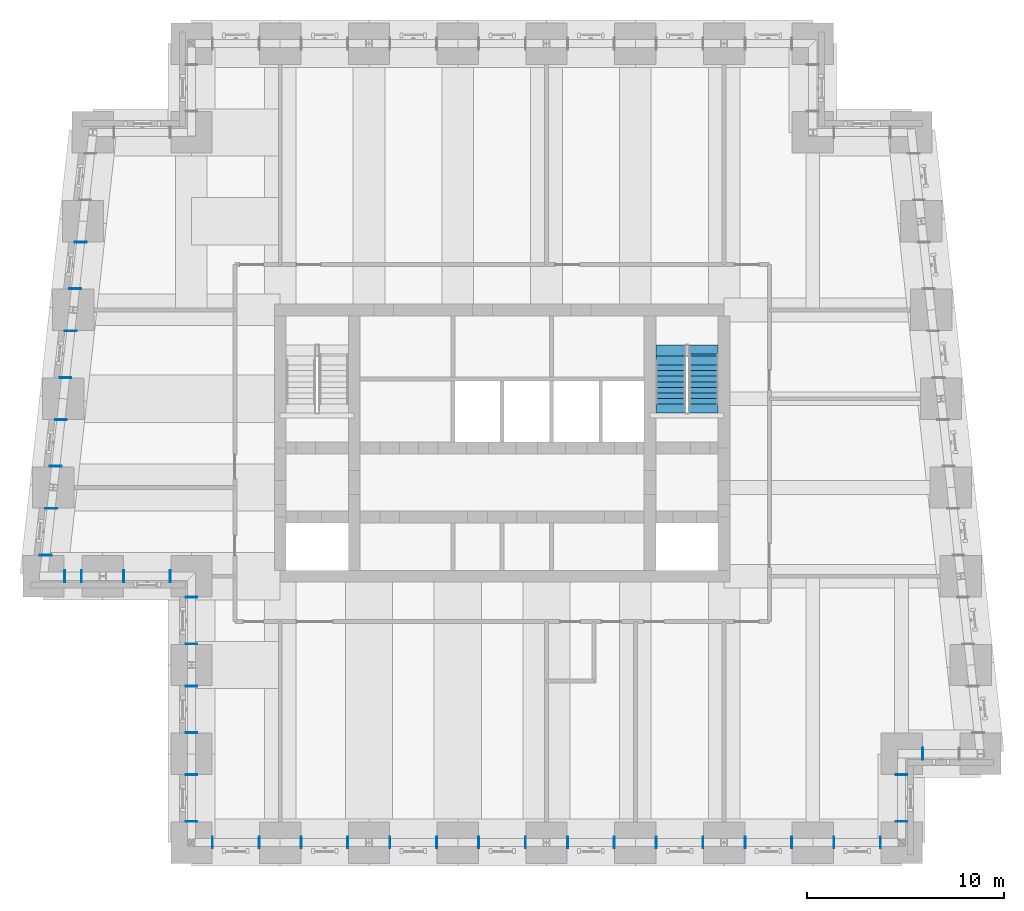
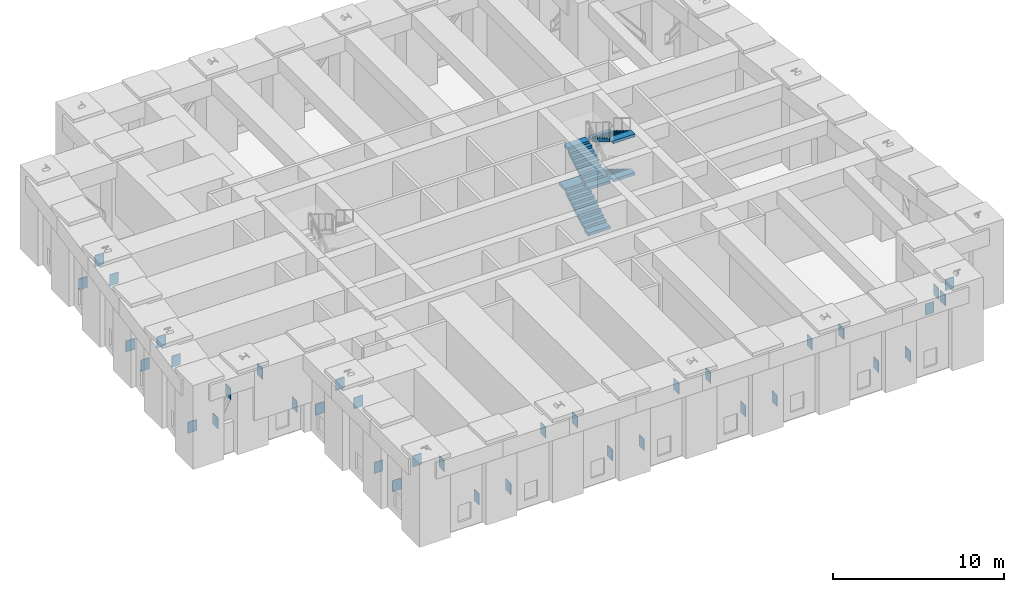
# One storey, part 6 of 17: 37 discrete accessories, 4 stair flights, 1 element without a shape of its own.
"""IFC4 building model written with IfcOpenShell, lengths in metres."""

from ifc_helpers import new_model, si_unit, direction, frame, origin, place, context, subcontext, project, spatial, polyline, outline, extrude, source, transform, mapped, material, layer, layer_set, type_object, element, aggregate, save


model = new_model("IFC4")

# Units and contexts
model_context = context("Model", 3, precision=1e-05, world=origin(), true_north=direction((0.0, 1.0)))
body_context = subcontext(model_context, "Body", "Model", "MODEL_VIEW")
ifc_project = project(units=[si_unit("LENGTHUNIT", "METRE"), si_unit("AREAUNIT", "SQUARE_METRE"), si_unit("VOLUMEUNIT", "CUBIC_METRE"), si_unit("PLANEANGLEUNIT", "RADIAN"), si_unit("MASSUNIT", "GRAM", prefix="KILO")], contexts=[model_context])

# Site, building, storey
site_placement = place(None, origin())
site = spatial("IfcSite", under=ifc_project, at=site_placement, CompositionType="ELEMENT")
building_placement = place(site_placement, origin())
building = spatial("IfcBuilding", under=site, at=building_placement, Name="Kilele Tower Hotel", CompositionType="ELEMENT")
storey_placement = place(building_placement, frame((0.0, 0.0, 211.39990234375)))
storey = spatial("IfcBuildingStorey", under=building, at=storey_placement, Name="L55", CompositionType="ELEMENT", Elevation=211.39990234375)

# Stair, stair flights
ifc_material_1 = material(Name="Precast concrete C40/50", Category="concrete")
stair_type = type_object("IfcStairType", Name="Stair 1475 x 6000", PredefinedType="HALF_TURN_STAIR", material=ifc_material_1)
stair_placement = place(storey_placement, origin())
stair = element("IfcStair", 1, at=stair_placement, inside=storey, type_object=stair_type, Name="Stair 2 L55", PredefinedType="HALF_TURN_STAIR")
ifc_material_2 = material(Name="Precast concrete C40/50", Category="concrete")
stair_flight_type = type_object("IfcStairFlightType", Name="Flight 1475 riser 171.4", PredefinedType="STRAIGHT", material=ifc_material_2)
stair_flight_1_placement = place(storey_placement, frame((33.28759765625, 22.239990234375, 0.0), z_axis=(0.0, 0.0, 1.0), x_axis=(0.0, 1.0, 0.0)))
stair_flight_1 = element("IfcStairFlight", 2, at=stair_flight_1_placement, type_object=stair_flight_type, Name="ST2 flight 1", NumberOfRisers=9, NumberOfTreads=8, PredefinedType="STRAIGHT", RiserHeight=0.171428571, TreadLength=0.28, context=body_context, shape_type="SweptSolid", body=[
    extrude(outline(polyline([(0.0, 0.0), (0.0, 0.17138671875), (0.280029296875, 0.17138671875), (0.280029296875, 0.3427734375), (0.56005859375, 0.3427734375), (0.56005859375, 0.514404296875), (0.840087890625, 0.514404296875), (0.840087890625, 0.685791015625), (1.1201171875, 0.685791015625), (1.1201171875, 0.857177734375), (1.39990234375, 0.857177734375), (1.39990234375, 1.028564453125), (1.679931640625, 1.028564453125), (1.679931640625, 1.199951171875), (1.9599609375, 1.199951171875), (1.9599609375, 1.371337890625), (2.239990234375, 1.371337890625), (2.239990234375, 1.54296875), (2.239990234375, 1.195556640625), (0.287109375, 0.0), (0.0, 0.0)])), frame((0.0, 0.737548828125, 0.0), z_axis=(0.0, -1.0, 0.0), x_axis=(1.0, 0.0, 0.0)), (0.0, 0.0, 1.0), 1.47509765625),
    extrude(outline(polyline([(-0.465087890625, 0.737548828125), (-0.465087890625, -0.7373046875), (0.0, -0.7373046875), (0.0, 0.737548828125), (-0.465087890625, 0.737548828125)])), frame((0.0, 0.0, -0.199951171875)), (0.0, 0.0, 1.0), 0.199951171875),
    extrude(outline(polyline([(2.239990234375, 0.737548828125), (2.239990234375, -0.7373046875), (2.985107421875, -0.7373046875), (2.985107421875, 0.737548828125), (2.239990234375, 0.737548828125)])), frame((0.0, 0.0, 1.343017578125)), (0.0, 0.0, 1.0), 0.199951171875),
])
stair_flight_2_placement = place(storey_placement, frame((34.96240234375, 24.760009765625, 1.54296875), z_axis=(0.0, 0.0, 1.0), x_axis=(0.0, -1.0, 0.0)))
stair_flight_2 = element("IfcStairFlight", 3, at=stair_flight_2_placement, type_object=stair_flight_type, Name="ST2 flight 2", NumberOfRisers=10, NumberOfTreads=9, PredefinedType="STRAIGHT", RiserHeight=0.171428571, TreadLength=0.28, context=body_context, shape_type="SweptSolid", body=[
    extrude(outline(polyline([(0.0, 0.0), (0.0, 0.17138671875), (0.280029296875, 0.17138671875), (0.280029296875, 0.3427734375), (0.56005859375, 0.3427734375), (0.56005859375, 0.514404296875), (0.840087890625, 0.514404296875), (0.840087890625, 0.685791015625), (1.1201171875, 0.685791015625), (1.1201171875, 0.857177734375), (1.39990234375, 0.857177734375), (1.39990234375, 1.028564453125), (1.679931640625, 1.028564453125), (1.679931640625, 1.199951171875), (1.9599609375, 1.199951171875), (1.9599609375, 1.371337890625), (2.239990234375, 1.371337890625), (2.239990234375, 1.54296875), (2.52001953125, 1.54296875), (2.52001953125, 1.71435546875), (2.52001953125, 1.3671875), (0.287109375, 0.0), (0.0, 0.0)])), frame((0.0, 0.737548828125, 0.0), z_axis=(0.0, -1.0, 0.0), x_axis=(1.0, 0.0, 0.0)), (0.0, 0.0, 1.0), 1.47509765625),
    extrude(outline(polyline([(0.0, -0.7373046875), (0.0, 0.737548828125), (-0.465087890625, 0.737548828125), (-0.465087890625, -0.7373046875), (0.0, -0.7373046875)])), frame((0.0, 0.0, -0.199951171875)), (0.0, 0.0, 1.0), 0.199951171875),
    extrude(outline(polyline([(2.985107421875, -0.7373046875), (2.985107421875, 0.737548828125), (2.52001953125, 0.737548828125), (2.52001953125, -0.7373046875), (2.985107421875, -0.7373046875)])), frame((0.0, 0.0, 1.51416015625)), (0.0, 0.0, 1.0), 0.199951171875),
])
stair_flight_3_placement = place(storey_placement, frame((33.28759765625, 22.239990234375, 3.25732421875), z_axis=(0.0, 0.0, 1.0), x_axis=(0.0, 1.0, 0.0)))
stair_flight_3 = element("IfcStairFlight", 4, at=stair_flight_3_placement, type_object=stair_flight_type, Name="ST2 flight 3", NumberOfRisers=8, NumberOfTreads=7, PredefinedType="STRAIGHT", RiserHeight=0.171428571, TreadLength=0.28, context=body_context, shape_type="SweptSolid", body=[
    extrude(outline(polyline([(0.0, 0.0), (0.0, 0.17138671875), (0.280029296875, 0.17138671875), (0.280029296875, 0.3427734375), (0.56005859375, 0.3427734375), (0.56005859375, 0.514404296875), (0.840087890625, 0.514404296875), (0.840087890625, 0.685791015625), (1.1201171875, 0.685791015625), (1.1201171875, 0.857177734375), (1.39990234375, 0.857177734375), (1.39990234375, 1.028564453125), (1.679931640625, 1.028564453125), (1.679931640625, 1.199951171875), (1.9599609375, 1.199951171875), (1.9599609375, 1.371337890625), (1.9599609375, 1.024169921875), (0.287109375, 0.0), (0.0, 0.0)])), frame((0.0, 0.737548828125, 0.0), z_axis=(0.0, -1.0, 0.0), x_axis=(1.0, 0.0, 0.0)), (0.0, 0.0, 1.0), 1.47509765625),
    extrude(outline(polyline([(-0.465087890625, 0.737548828125), (-0.465087890625, -0.7373046875), (0.0, -0.7373046875), (0.0, 0.737548828125), (-0.465087890625, 0.737548828125)])), frame((0.0, 0.0, -0.2001953125)), (0.0, 0.0, 1.0), 0.199951171875),
    extrude(outline(polyline([(1.9599609375, 0.737548828125), (1.9599609375, -0.7373046875), (2.425048828125, -0.7373046875), (2.425048828125, 0.737548828125), (1.9599609375, 0.737548828125)])), frame((0.0, 0.0, 1.17138671875)), (0.0, 0.0, 1.0), 0.199951171875),
])
stair_flight_4_placement = place(storey_placement, frame((34.96240234375, 24.199951171875, 4.628662109375), z_axis=(0.0, 0.0, 1.0), x_axis=(0.0, -1.0, 0.0)))
stair_flight_4 = element("IfcStairFlight", 5, at=stair_flight_4_placement, type_object=stair_flight_type, Name="ST2 flight 4", NumberOfRisers=8, NumberOfTreads=7, PredefinedType="STRAIGHT", RiserHeight=0.171428571, TreadLength=0.28, context=body_context, shape_type="SweptSolid", body=[
    extrude(outline(polyline([(0.0, 0.0), (0.0, 0.17138671875), (0.280029296875, 0.17138671875), (0.280029296875, 0.3427734375), (0.56005859375, 0.3427734375), (0.56005859375, 0.514404296875), (0.840087890625, 0.514404296875), (0.840087890625, 0.685791015625), (1.1201171875, 0.685791015625), (1.1201171875, 0.857177734375), (1.39990234375, 0.857177734375), (1.39990234375, 1.028564453125), (1.679931640625, 1.028564453125), (1.679931640625, 1.199951171875), (1.9599609375, 1.199951171875), (1.9599609375, 1.371337890625), (1.9599609375, 1.024169921875), (0.287109375, 0.0), (0.0, 0.0)])), frame((0.0, 0.737548828125, 0.0), z_axis=(0.0, -1.0, 0.0), x_axis=(1.0, 0.0, 0.0)), (0.0, 0.0, 1.0), 1.47509765625),
    extrude(outline(polyline([(0.0, -0.7373046875), (0.0, 0.737548828125), (-0.465087890625, 0.737548828125), (-0.465087890625, -0.7373046875), (0.0, -0.7373046875)])), frame((0.0, 0.0, -0.199951171875)), (0.0, 0.0, 1.0), 0.199951171875),
    extrude(outline(polyline([(2.425048828125, -0.7373046875), (2.425048828125, 0.737548828125), (1.9599609375, 0.737548828125), (1.9599609375, -0.7373046875), (2.425048828125, -0.7373046875)])), frame((0.0, 0.0, 1.17138671875)), (0.0, 0.0, 1.0), 0.199951171875),
])
aggregate(stair, [stair_flight_1, stair_flight_2, stair_flight_3, stair_flight_4])

# Discrete accessories
ifc_material_3 = material(Name="Steel S355", Category="steel")
ifc_layer = layer(ifc_material_3, 0.0400390625)
ifc_layer_set = layer_set([ifc_layer], Name="Steel S355")
discrete_accessory_type = type_object("IfcDiscreteAccessoryType", Name="Cast-in anchor plate 800x600x40", PredefinedType="ANCHORPLATE", material=ifc_layer_set)
shared_shape = source(origin(), body_context, "Body", "SweptSolid", [
    extrude(outline(polyline([(0.0, 0.0), (0.0400390625, 0.0), (0.0400390625, 0.800048828125), (0.0, 0.800048828125), (0.0, 0.0)])), origin(), (0.0, 0.0, 1.0), 0.60009765625),
])
for number, where, z_axis, x_axis, name in (
    (6, (2.550048828125, 13.800048828125, 1.7001953125), (0.0, -1.0, 0.0), (1.0, 0.0, 0.0), "Cast-in anchor plate L55"),
    (7, (3.449951171875, 13.199951171875, 3.5), (0.0, 1.0, 0.0), (-1.0, 0.0, 0.0), "Cast-in anchor plate L55"),
    (8, (5.550048828125, 13.800048828125, 4.2001953125), (0.0, -1.0, 0.0), (1.0, 0.0, 0.0), "Cast-in anchor plate L55"),
    (9, (7.949951171875, 13.199951171875, 1.0), (0.0, 1.0, 0.0), (-1.0, 0.0, 0.0), "Cast-in anchor plate L55"),
    (10, (9.300048828125, 12.449951171875, 1.0), (-1.0, 0.0, 0.0), (0.0, -1.0, 0.0), "Cast-in anchor plate L55"),
    (11, (8.699951171875, 10.050048828125, 4.2001953125), (1.0, 0.0, 0.0), (0.0, 1.0, 0.0), "Cast-in anchor plate L55"),
    (12, (9.300048828125, 7.949951171875, 4.2001953125), (-1.0, 0.0, 0.0), (0.0, -1.0, 0.0), "Cast-in anchor plate L55"),
    (13, (8.699951171875, 5.550048828125, 1.0), (1.0, 0.0, 0.0), (0.0, 1.0, 0.0), "Cast-in anchor plate L55"),
    (14, (9.300048828125, 3.449951171875, 1.0), (-1.0, 0.0, 0.0), (0.0, -1.0, 0.0), "Cast-in anchor plate L55"),
    (15, (8.699951171875, 1.050048828125, 4.2001953125), (1.0, 0.0, 0.0), (0.0, 1.0, 0.0), "Cast-in anchor plate L55"),
    (16, (10.050048828125, 0.300048828125, 4.2001953125), (0.0, -1.0, 0.0), (1.0, 0.0, 0.0), "Cast-in anchor plate L55"),
    (17, (12.449951171875, -0.300048828125, 1.0), (0.0, 1.0, 0.0), (-1.0, 0.0, 0.0), "Cast-in anchor plate L55"),
    (18, (14.550048828125, 0.300048828125, 1.0), (0.0, -1.0, 0.0), (1.0, 0.0, 0.0), "Cast-in anchor plate L55"),
    (19, (16.949951171875, -0.300048828125, 4.2001953125), (0.0, 1.0, 0.0), (-1.0, 0.0, 0.0), "Cast-in anchor plate L55"),
    (20, (19.050048828125, 0.300048828125, 4.2001953125), (0.0, -1.0, 0.0), (1.0, 0.0, 0.0), "Cast-in anchor plate L55"),
    (21, (21.449951171875, -0.300048828125, 1.0), (0.0, 1.0, 0.0), (-1.0, 0.0, 0.0), "Cast-in anchor plate L55"),
    (22, (23.550048828125, 0.300048828125, 1.0), (0.0, -1.0, 0.0), (1.0, 0.0, 0.0), "Cast-in anchor plate L55"),
    (23, (25.949951171875, -0.300048828125, 4.2001953125), (0.0, 1.0, 0.0), (-1.0, 0.0, 0.0), "Cast-in anchor plate L55"),
    (24, (28.050048828125, 0.300048828125, 4.2001953125), (0.0, -1.0, 0.0), (1.0, 0.0, 0.0), "Cast-in anchor plate L55"),
    (25, (30.449951171875, -0.300048828125, 1.0), (0.0, 1.0, 0.0), (-1.0, 0.0, 0.0), "Cast-in anchor plate L55"),
    (26, (32.550048828125, 0.300048828125, 1.0), (0.0, -1.0, 0.0), (1.0, 0.0, 0.0), "Cast-in anchor plate L55"),
    (27, (34.949951171875, -0.300048828125, 4.2001953125), (0.0, 1.0, 0.0), (-1.0, 0.0, 0.0), "Cast-in anchor plate L55"),
    (28, (37.050048828125, 0.300048828125, 4.2001953125), (0.0, -1.0, 0.0), (1.0, 0.0, 0.0), "Cast-in anchor plate L55"),
    (29, (39.449951171875, -0.300048828125, 1.0), (0.0, 1.0, 0.0), (-1.0, 0.0, 0.0), "Cast-in anchor plate L55"),
    (30, (41.550048828125, 0.300048828125, 1.0), (0.0, -1.0, 0.0), (1.0, 0.0, 0.0), "Cast-in anchor plate L55"),
    (31, (43.949951171875, -0.300048828125, 4.2001953125), (0.0, 1.0, 0.0), (-1.0, 0.0, 0.0), "Cast-in anchor plate L55"),
    (32, (44.699951171875, 1.050048828125, 4.2001953125), (1.0, 0.0, 0.0), (0.0, 1.0, 0.0), "Cast-in anchor plate L55"),
    (33, (45.300048828125, 3.449951171875, 1.0), (-1.0, 0.0, 0.0), (0.0, -1.0, 0.0), "Cast-in anchor plate L55"),
    (34, (46.050048828125, 4.800048828125, 1.175048828125), (0.0, -1.0, 0.0), (1.0, 0.0, 0.0), "Cast-in anchor plate L55"),
    (35, (3.683349609375, 30.449951171875, 1.0), (-1.0, 0.0, 0.0), (0.0, -1.0, 0.0), "Cast-in anchor plate L55"),
    (36, (2.816650390625, 28.050048828125, 4.2001953125), (1.0, 0.0, 0.0), (0.0, 1.0, 0.0), "Cast-in anchor plate L55"),
    (37, (3.183349609375, 25.949951171875, 4.2001953125), (-1.0, 0.0, 0.0), (0.0, -1.0, 0.0), "Cast-in anchor plate L55"),
    (38, (2.316650390625, 23.550048828125, 1.0), (1.0, 0.0, 0.0), (0.0, 1.0, 0.0), "Cast-in anchor plate L55"),
    (39, (2.683349609375, 21.449951171875, 1.0), (-1.0, 0.0, 0.0), (0.0, -1.0, 0.0), "Cast-in anchor plate L55"),
    (40, (1.816650390625, 19.050048828125, 4.2001953125), (1.0, 0.0, 0.0), (0.0, 1.0, 0.0), "Cast-in anchor plate L55"),
    (41, (2.183349609375, 16.949951171875, 4.2001953125), (-1.0, 0.0, 0.0), (0.0, -1.0, 0.0), "Cast-in anchor plate L55"),
    (42, (1.316650390625, 14.550048828125, 1.0), (1.0, 0.0, 0.0), (0.0, 1.0, 0.0), "Cast-in anchor plate L55"),
):
    element("IfcDiscreteAccessory", number, at=place(storey_placement, frame(where, z_axis=z_axis, x_axis=x_axis)), inside=storey, type_object=discrete_accessory_type, Name=name, PredefinedType="ANCHORPLATE", context=body_context, shape_type="MappedRepresentation", body=[
        mapped(shared_shape, transform((0.0, 0.0, 0.0))),
    ])

save(model, "model.ifc")
